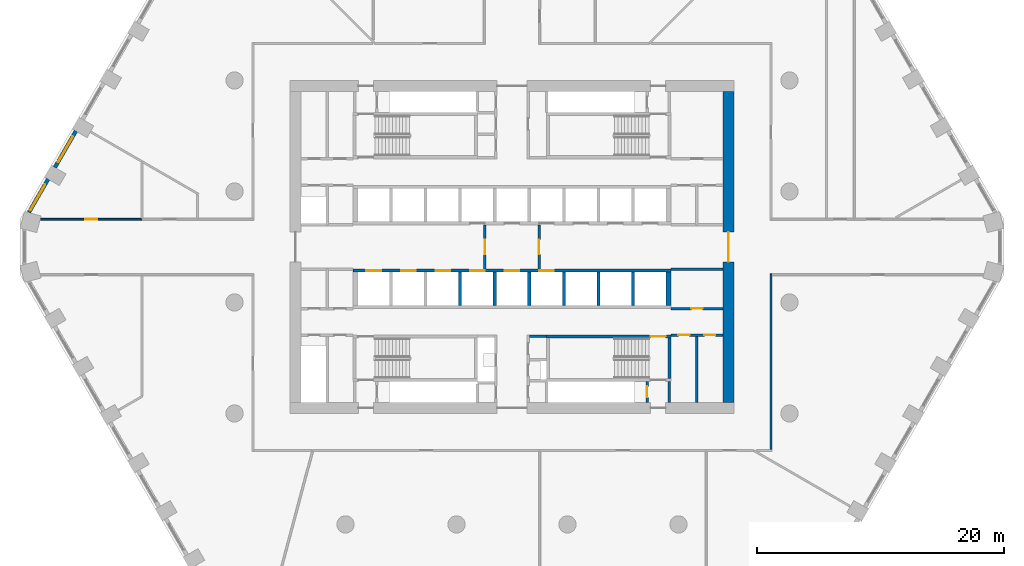
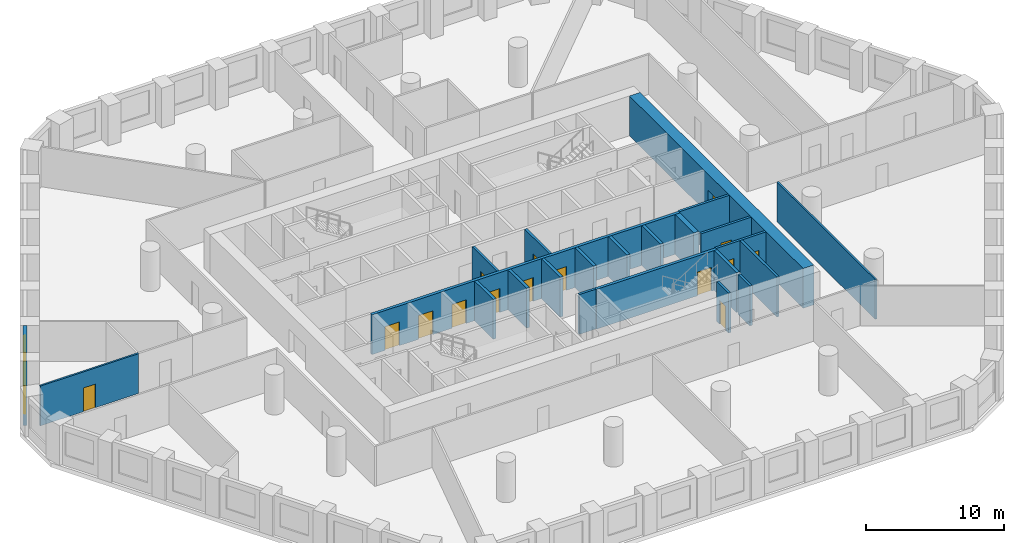
# One storey, part 4 of 10: 24 walls, 15 doors, 2 windows, 17 openings.
"""IFC4 building model written with IfcOpenShell, lengths in metres."""

from ifc_helpers import new_model, si_unit, direction, frame, frame_2d, origin, place, context, subcontext, project, spatial, polyline, rectangle, outline, extrude, material, layer, layer_set, type_object, element, fill, save


model = new_model("IFC4")

# Units and contexts
model_context = context("Model", 3, precision=1e-05, world=origin(), true_north=direction((0.0, 1.0)))
body_context = subcontext(model_context, "Body", "Model", "MODEL_VIEW")
ifc_project = project(units=[si_unit("LENGTHUNIT", "METRE"), si_unit("AREAUNIT", "SQUARE_METRE"), si_unit("VOLUMEUNIT", "CUBIC_METRE"), si_unit("PLANEANGLEUNIT", "RADIAN"), si_unit("MASSUNIT", "GRAM", prefix="KILO")], contexts=[model_context])

# Site, building, storey
site_placement = place(None, origin())
site = spatial("IfcSite", under=ifc_project, at=site_placement, CompositionType="ELEMENT")
building_placement = place(site_placement, origin())
building = spatial("IfcBuilding", under=site, at=building_placement, Name="Dhurran Vertical Campus", CompositionType="ELEMENT")
storey_placement = place(building_placement, frame((0.0, 0.0, 57.300048828125)))
storey = spatial("IfcBuildingStorey", under=building, at=storey_placement, Name="L13", CompositionType="ELEMENT", Elevation=57.300048828125)

# Wall, opening, window
ifc_material_1 = material(Name="Precast concrete C50/60", Category="concrete")
ifc_layer_1 = layer(ifc_material_1, 0.300048828125)
ifc_layer_set_1 = layer_set([ifc_layer_1], Name="Precast concrete C50/60")
wall_type_1 = type_object("IfcWallType", Name="Precast spandrel wall 300", PredefinedType="SOLIDWALL", material=ifc_layer_set_1)
wall_1_placement = place(storey_placement, frame((-35.369384765625, 9.392578125, 0.0), z_axis=(0.0, 0.0, 1.0), x_axis=(-0.499993955907, -0.866028893315, 0.0)))
wall_1 = element("IfcWall", 1, at=wall_1_placement, inside=storey, type_object=wall_type_1, Name="EW1 L13.41", PredefinedType="SOLIDWALL", context=body_context, shape_type="SweptSolid", body=[
    extrude(rectangle(XDim=3.39892578125, YDim=0.300048828125, at=frame_2d((1.699462890625, 0.0))), origin(), (0.0, 0.0, 1.0), 3.52490234375),
])
opening_1_placement = place(wall_1_placement, frame((0.49951171875, 0.0, 0.89990234375)))
opening_1 = element("IfcOpeningElement", 2, at=opening_1_placement, cuts=wall_1, Name="Opening WT1", PredefinedType="OPENING", context=body_context, shape_type="SweptSolid", body=[
    extrude(rectangle(XDim=2.39990234375, YDim=2.10009765625, at=frame_2d((1.199951171875, 1.050048828125))), frame((0.0, 0.159912109375, 0.0), z_axis=(0.0, -1.0, 0.0), x_axis=(1.0, 0.0, 0.0)), (0.0, 0.0, 1.0), 0.320068359375),
])
ifc_material_2 = material(Name="Aluminium frame with solar-control glass", Category="aluminium")
window_type = type_object("IfcWindowType", Name="Punched window 2400 x 2100", PartitioningType="SINGLE_PANEL", PredefinedType="WINDOW", material=ifc_material_2)
window_1_placement = place(opening_1_placement, origin())
window_1 = element("IfcWindow", 3, at=window_1_placement, inside=storey, type_object=window_type, Name="WT1 L13.41", OverallHeight=2.10009765625, OverallWidth=2.39990234375, PartitioningType="SINGLE_PANEL", PredefinedType="WINDOW", context=body_context, shape_type="SweptSolid", body=[
    extrude(rectangle(XDim=2.39990234375, YDim=2.10009765625, at=frame_2d((1.199951171875, 1.050048828125))), frame((0.0, 0.030029296875, 0.0), z_axis=(0.0, -1.0, 0.0), x_axis=(1.0, 0.0, 0.0)), (0.0, 0.0, 1.0), 0.06005859375),
])
fill(opening_1, window_1)

wall_2_placement = place(storey_placement, frame((-37.619384765625, 5.495361328125, 0.0), z_axis=(0.0, 0.0, 1.0), x_axis=(-0.49997090907, -0.866042198789, 0.0)))
wall_2 = element("IfcWall", 4, at=wall_2_placement, inside=storey, type_object=wall_type_1, Name="EW1 L13.42", PredefinedType="SOLIDWALL", context=body_context, shape_type="SweptSolid", body=[
    extrude(rectangle(XDim=3.090576171875, YDim=0.300048828125, at=frame_2d((1.54541015625, 0.0))), origin(), (0.0, 0.0, 1.0), 3.52490234375),
])
opening_2_placement = place(wall_2_placement, frame((0.49951171875, 0.0, 0.89990234375)))
opening_2 = element("IfcOpeningElement", 5, at=opening_2_placement, cuts=wall_2, Name="Opening WT1", PredefinedType="OPENING", context=body_context, shape_type="SweptSolid", body=[
    extrude(rectangle(XDim=2.39990234375, YDim=2.10009765625, at=frame_2d((1.199951171875, 1.050048828125))), frame((0.0, 0.159912109375, 0.0), z_axis=(0.0, -1.0, 0.0), x_axis=(1.0, 0.0, 0.0)), (0.0, 0.0, 1.0), 0.320068359375),
])
window_2_placement = place(opening_2_placement, origin())
window_2 = element("IfcWindow", 6, at=window_2_placement, inside=storey, type_object=window_type, Name="WT1 L13.42", OverallHeight=2.10009765625, OverallWidth=2.39990234375, PartitioningType="SINGLE_PANEL", PredefinedType="WINDOW", context=body_context, shape_type="SweptSolid", body=[
    extrude(rectangle(XDim=2.39990234375, YDim=2.10009765625, at=frame_2d((1.199951171875, 1.050048828125))), frame((0.0, 0.030029296875, 0.0), z_axis=(0.0, -1.0, 0.0), x_axis=(1.0, 0.0, 0.0)), (0.0, 0.0, 1.0), 0.06005859375),
])
fill(opening_2, window_2)

# Wall, opening, door
ifc_material_3 = material(Name="Concrete C60/75", Category="concrete")
ifc_layer_2 = layer(ifc_material_3, 0.89990234375)
ifc_layer_set_2 = layer_set([ifc_layer_2], Name="Concrete C60/75")
wall_type_2 = type_object("IfcWallType", Name="co-CORE-WALL-C0-900", PredefinedType="SHEAR", material=ifc_layer_set_2)
wall_3_placement = place(storey_placement, frame((17.550048828125, -12.60009765625, 0.0), z_axis=(0.0, 0.0, 1.0), x_axis=(0.0, 1.0, 0.0)))
wall_3 = element("IfcWall", 7, at=wall_3_placement, inside=storey, type_object=wall_type_2, Name="Core wall E L13", PredefinedType="SHEAR", context=body_context, shape_type="SweptSolid", body=[
    extrude(rectangle(XDim=25.2001953125, YDim=0.89990234375, at=frame_2d((12.60009765625, 0.0))), origin(), (0.0, 0.0, 1.0), 3.52490234375),
])
opening_3_placement = place(wall_3_placement, frame((11.39990234375, 0.0, 0.0)))
opening_3 = element("IfcOpeningElement", 8, at=opening_3_placement, cuts=wall_3, Name="Opening CL2", PredefinedType="OPENING", context=body_context, shape_type="SweptSolid", body=[
    extrude(rectangle(XDim=2.39990234375, YDim=2.10009765625, at=frame_2d((1.199951171875, 1.050048828125))), frame((0.0, 0.4599609375, 0.0), z_axis=(0.0, -1.0, 0.0), x_axis=(1.0, 0.0, 0.0)), (0.0, 0.0, 1.0), 0.919921875),
])
ifc_material_4 = material(Name="Fire-rated glazed door set")
door_type_1 = type_object("IfcDoorType", Name="co-D-LOBBY 2400x2100", OperationType="DOUBLE_DOOR_DOUBLE_SWING", PredefinedType="DOOR", material=ifc_material_4)
door_1_placement = place(opening_3_placement, origin())
door_1 = element("IfcDoor", 9, at=door_1_placement, inside=storey, type_object=door_type_1, Name="Lift lobby door E L13", OperationType="DOUBLE_DOOR_DOUBLE_SWING", OverallHeight=2.10009765625, OverallWidth=2.39990234375, PredefinedType="DOOR", context=body_context, shape_type="SweptSolid", body=[
    extrude(rectangle(XDim=2.39990234375, YDim=2.10009765625, at=frame_2d((1.199951171875, 1.050048828125))), frame((0.0, 0.02490234375, 0.0), z_axis=(0.0, -1.0, 0.0), x_axis=(1.0, 0.0, 0.0)), (0.0, 0.0, 1.0), 0.050048828125),
])
fill(opening_3, door_1)

ifc_material_5 = material(Name="Fire-rated masonry blockwork", Category="masonry")
ifc_layer_3 = layer(ifc_material_5, 0.199951171875)
ifc_layer_set_3 = layer_set([ifc_layer_3], Name="Fire-rated masonry blockwork")
wall_type_3 = type_object("IfcWallType", Name="co-FIRE-PARTITION-200", PredefinedType="PARTITIONING", material=ifc_layer_set_3)
wall_4_placement = place(storey_placement, frame((-2.199951171875, -1.800048828125, 0.0), z_axis=(0.0, 0.0, 1.0), x_axis=(0.0, 1.0, 0.0)))
wall_4 = element("IfcWall", 10, at=wall_4_placement, inside=storey, type_object=wall_type_3, Name="Firefighting lobby wall W L13", PredefinedType="PARTITIONING", context=body_context, shape_type="SweptSolid", body=[
    extrude(rectangle(XDim=3.60009765625, YDim=0.199951171875, at=frame_2d((1.800048828125, 0.0))), origin(), (0.0, 0.0, 1.0), 3.52490234375),
])
opening_4_placement = place(wall_4_placement, frame((1.199951171875, 0.0, 0.0)))
opening_4 = element("IfcOpeningElement", 11, at=opening_4_placement, cuts=wall_4, Name="Opening FL1", PredefinedType="OPENING", context=body_context, shape_type="SweptSolid", body=[
    extrude(rectangle(XDim=1.199951171875, YDim=2.10009765625, at=frame_2d((0.60009765625, 1.050048828125))), frame((0.0, 0.10986328125, 0.0), z_axis=(0.0, -1.0, 0.0), x_axis=(1.0, 0.0, 0.0)), (0.0, 0.0, 1.0), 0.219970703125),
])
ifc_material_6 = material(Name="Fire-rated steel door set", Category="steel")
door_type_2 = type_object("IfcDoorType", Name="co-D-FFLOBBY 1200x2100", OperationType="SINGLE_SWING_LEFT", PredefinedType="DOOR", material=ifc_material_6)
door_2_placement = place(opening_4_placement, origin())
door_2 = element("IfcDoor", 12, at=door_2_placement, inside=storey, type_object=door_type_2, Name="Firefighting lobby door W L13", OperationType="SINGLE_SWING_LEFT", OverallHeight=2.10009765625, OverallWidth=1.199951171875, PredefinedType="DOOR", context=body_context, shape_type="SweptSolid", body=[
    extrude(rectangle(XDim=1.199951171875, YDim=2.10009765625, at=frame_2d((0.60009765625, 1.050048828125))), frame((0.0, 0.02490234375, 0.0), z_axis=(0.0, -1.0, 0.0), x_axis=(1.0, 0.0, 0.0)), (0.0, 0.0, 1.0), 0.050048828125),
])
fill(opening_4, door_2)

wall_5_placement = place(storey_placement, frame((2.199951171875, -1.800048828125, 0.0), z_axis=(0.0, 0.0, 1.0), x_axis=(0.0, 1.0, 0.0)))
wall_5 = element("IfcWall", 13, at=wall_5_placement, inside=storey, type_object=wall_type_3, Name="Firefighting lobby wall E L13", PredefinedType="PARTITIONING", context=body_context, shape_type="SweptSolid", body=[
    extrude(rectangle(XDim=3.60009765625, YDim=0.199951171875, at=frame_2d((1.800048828125, 0.0))), origin(), (0.0, 0.0, 1.0), 3.52490234375),
])
opening_5_placement = place(wall_5_placement, frame((1.199951171875, 0.0, 0.0)))
opening_5 = element("IfcOpeningElement", 14, at=opening_5_placement, cuts=wall_5, Name="Opening FL2", PredefinedType="OPENING", context=body_context, shape_type="SweptSolid", body=[
    extrude(rectangle(XDim=1.199951171875, YDim=2.10009765625, at=frame_2d((0.60009765625, 1.050048828125))), frame((0.0, 0.10986328125, 0.0), z_axis=(0.0, -1.0, 0.0), x_axis=(1.0, 0.0, 0.0)), (0.0, 0.0, 1.0), 0.219970703125),
])
door_3_placement = place(opening_5_placement, origin())
door_3 = element("IfcDoor", 15, at=door_3_placement, inside=storey, type_object=door_type_2, Name="Firefighting lobby door E L13", OperationType="SINGLE_SWING_LEFT", OverallHeight=2.10009765625, OverallWidth=1.199951171875, PredefinedType="DOOR", context=body_context, shape_type="SweptSolid", body=[
    extrude(rectangle(XDim=1.199951171875, YDim=2.10009765625, at=frame_2d((0.60009765625, 1.050048828125))), frame((0.0, 0.02490234375, 0.0), z_axis=(0.0, -1.0, 0.0), x_axis=(1.0, 0.0, 0.0)), (0.0, 0.0, 1.0), 0.050048828125),
])
fill(opening_5, door_3)

# Walls
wall_6_placement = place(storey_placement, frame((1.39990234375, -7.25, 0.0), z_axis=(0.0, 0.0, 1.0), x_axis=(1.0, 0.0, 0.0)))
element("IfcWall", 16, at=wall_6_placement, inside=storey, type_object=wall_type_3, Name="Core partition sl-SE-S L13", PredefinedType="PARTITIONING", context=body_context, shape_type="SweptSolid", body=[
    extrude(rectangle(XDim=1.400146484375, YDim=0.199951171875, at=frame_2d((0.7001953125, 0.0))), origin(), (0.0, 0.0, 1.0), 3.52490234375),
])
wall_7_placement = place(storey_placement, frame((12.75, -12.60009765625, 0.0), z_axis=(0.0, 0.0, 1.0), x_axis=(0.0, 1.0, 0.0)))
element("IfcWall", 17, at=wall_7_placement, inside=storey, type_object=wall_type_3, Name="Core partition pass-ST4-o L13", PredefinedType="PARTITIONING", context=body_context, shape_type="SweptSolid", body=[
    extrude(rectangle(XDim=1.7001953125, YDim=0.199951171875, at=frame_2d((0.85009765625, 0.0))), origin(), (0.0, 0.0, 1.0), 3.52490234375),
])

# Wall, opening, door
wall_8_placement = place(storey_placement, frame((10.949951171875, -12.60009765625, 0.0), z_axis=(0.0, 0.0, 1.0), x_axis=(0.0, 1.0, 0.0)))
wall_8 = element("IfcWall", 18, at=wall_8_placement, inside=storey, type_object=wall_type_3, Name="Core partition pass-ST4-i L13", PredefinedType="PARTITIONING", context=body_context, shape_type="SweptSolid", body=[
    extrude(rectangle(XDim=1.7001953125, YDim=0.199951171875, at=frame_2d((0.85009765625, 0.0))), origin(), (0.0, 0.0, 1.0), 3.52490234375),
])
opening_6_placement = place(wall_8_placement, frame((0.39990234375, 0.0, 0.0)))
opening_6 = element("IfcOpeningElement", 19, at=opening_6_placement, cuts=wall_8, Name="Opening T03-C13", PredefinedType="OPENING", context=body_context, shape_type="SweptSolid", body=[
    extrude(rectangle(XDim=0.89990234375, YDim=2.10009765625, at=frame_2d((0.449951171875, 1.050048828125))), frame((0.0, 0.10986328125, 0.0), z_axis=(0.0, -1.0, 0.0), x_axis=(1.0, 0.0, 0.0)), (0.0, 0.0, 1.0), 0.219970703125),
])
ifc_material_7 = material(Name="Fire-rated timber door set", Category="wood")
door_type_3 = type_object("IfcDoorType", Name="co-D-ROOM 900x2100", OperationType="SINGLE_SWING_LEFT", PredefinedType="DOOR", material=ifc_material_7)
door_4_placement = place(opening_6_placement, origin())
door_4 = element("IfcDoor", 20, at=door_4_placement, inside=storey, type_object=door_type_3, Name="Riser room door L13", OperationType="SINGLE_SWING_LEFT", OverallHeight=2.10009765625, OverallWidth=0.89990234375, PredefinedType="DOOR", context=body_context, shape_type="SweptSolid", body=[
    extrude(rectangle(XDim=0.89990234375, YDim=2.10009765625, at=frame_2d((0.449951171875, 1.050048828125))), frame((0.0, 0.02490234375, 0.0), z_axis=(0.0, -1.0, 0.0), x_axis=(1.0, 0.0, 0.0)), (0.0, 0.0, 1.0), 0.050048828125),
])
fill(opening_6, door_4)

# Wall
wall_9_placement = place(storey_placement, frame((15.0, -12.60009765625, 0.0), z_axis=(0.0, 0.0, 1.0), x_axis=(0.0, 1.0, 0.0)))
element("IfcWall", 21, at=wall_9_placement, inside=storey, type_object=wall_type_3, Name="Core partition en-SE-cut0 L13", PredefinedType="PARTITIONING", context=body_context, shape_type="SweptSolid", body=[
    extrude(rectangle(XDim=5.4501953125, YDim=0.199951171875, at=frame_2d((2.72509765625, 0.0))), origin(), (0.0, 0.0, 1.0), 3.52490234375),
])

# Wall, openings, doors
wall_10_placement = place(storey_placement, frame((12.89990234375, -7.14990234375, 0.0), z_axis=(0.0, 0.0, 1.0), x_axis=(1.0, 0.0, 0.0)))
wall_10 = element("IfcWall", 22, at=wall_10_placement, inside=storey, type_object=wall_type_3, Name="Core partition en-SE-w L13", PredefinedType="PARTITIONING", context=body_context, shape_type="SweptSolid", body=[
    extrude(rectangle(XDim=4.2001953125, YDim=0.199951171875, at=frame_2d((2.10009765625, 0.0))), origin(), (0.0, 0.0, 1.0), 3.52490234375),
])
opening_7_placement = place(wall_10_placement, frame((0.60009765625, 0.0, 0.0)))
opening_7 = element("IfcOpeningElement", 23, at=opening_7_placement, cuts=wall_10, Name="Opening T03-C25", PredefinedType="OPENING", context=body_context, shape_type="SweptSolid", body=[
    extrude(rectangle(XDim=0.89990234375, YDim=2.10009765625, at=frame_2d((0.449951171875, 1.050048828125))), frame((0.0, 0.10986328125, 0.0), z_axis=(0.0, -1.0, 0.0), x_axis=(1.0, 0.0, 0.0)), (0.0, 0.0, 1.0), 0.219970703125),
])
opening_8_placement = place(wall_10_placement, frame((2.699951171875, 0.0, 0.0)))
opening_8 = element("IfcOpeningElement", 24, at=opening_8_placement, cuts=wall_10, Name="Opening T03-C26", PredefinedType="OPENING", context=body_context, shape_type="SweptSolid", body=[
    extrude(rectangle(XDim=0.89990234375, YDim=2.10009765625, at=frame_2d((0.449951171875, 1.050048828125))), frame((0.0, 0.10986328125, 0.0), z_axis=(0.0, -1.0, 0.0), x_axis=(1.0, 0.0, 0.0)), (0.0, 0.0, 1.0), 0.219970703125),
])
door_5_placement = place(opening_7_placement, origin())
door_5 = element("IfcDoor", 25, at=door_5_placement, inside=storey, type_object=door_type_3, Name="Server room door L13", OperationType="SINGLE_SWING_LEFT", OverallHeight=2.10009765625, OverallWidth=0.89990234375, PredefinedType="DOOR", context=body_context, shape_type="SweptSolid", body=[
    extrude(rectangle(XDim=0.89990234375, YDim=2.10009765625, at=frame_2d((0.449951171875, 1.050048828125))), frame((0.0, 0.02490234375, 0.0), z_axis=(0.0, -1.0, 0.0), x_axis=(1.0, 0.0, 0.0)), (0.0, 0.0, 1.0), 0.050048828125),
])
fill(opening_7, door_5)
door_6_placement = place(opening_8_placement, origin())
door_6 = element("IfcDoor", 26, at=door_6_placement, inside=storey, type_object=door_type_3, Name="Fire equipment store door L13", OperationType="SINGLE_SWING_LEFT", OverallHeight=2.10009765625, OverallWidth=0.89990234375, PredefinedType="DOOR", context=body_context, shape_type="SweptSolid", body=[
    extrude(rectangle(XDim=0.89990234375, YDim=2.10009765625, at=frame_2d((0.449951171875, 1.050048828125))), frame((0.0, 0.02490234375, 0.0), z_axis=(0.0, -1.0, 0.0), x_axis=(1.0, 0.0, 0.0)), (0.0, 0.0, 1.0), 0.050048828125),
])
fill(opening_8, door_6)

# Wall, opening, door
wall_11_placement = place(storey_placement, frame((12.89990234375, -5.0, 0.0), z_axis=(0.0, 0.0, 1.0), x_axis=(1.0, 0.0, 0.0)))
wall_11 = element("IfcWall", 27, at=wall_11_placement, inside=storey, type_object=wall_type_3, Name="Core partition es-SE-w L13", PredefinedType="PARTITIONING", context=body_context, shape_type="SweptSolid", body=[
    extrude(rectangle(XDim=4.2001953125, YDim=0.199951171875, at=frame_2d((2.10009765625, 0.0))), origin(), (0.0, 0.0, 1.0), 3.52490234375),
])
opening_9_placement = place(wall_11_placement, frame((1.64990234375, 0.0, 0.0)))
opening_9 = element("IfcOpeningElement", 28, at=opening_9_placement, cuts=wall_11, Name="Opening T03-C27", PredefinedType="OPENING", context=body_context, shape_type="SweptSolid", body=[
    extrude(rectangle(XDim=0.89990234375, YDim=2.10009765625, at=frame_2d((0.449951171875, 1.050048828125))), frame((0.0, 0.10986328125, 0.0), z_axis=(0.0, -1.0, 0.0), x_axis=(1.0, 0.0, 0.0)), (0.0, 0.0, 1.0), 0.219970703125),
])
door_7_placement = place(opening_9_placement, origin())
door_7 = element("IfcDoor", 29, at=door_7_placement, inside=storey, type_object=door_type_3, Name="Server room door L13", OperationType="SINGLE_SWING_LEFT", OverallHeight=2.10009765625, OverallWidth=0.89990234375, PredefinedType="DOOR", context=body_context, shape_type="SweptSolid", body=[
    extrude(rectangle(XDim=0.89990234375, YDim=2.10009765625, at=frame_2d((0.449951171875, 1.050048828125))), frame((0.0, 0.02490234375, 0.0), z_axis=(0.0, -1.0, 0.0), x_axis=(1.0, 0.0, 0.0)), (0.0, 0.0, 1.0), 0.050048828125),
])
fill(opening_9, door_7)

# Wall
wall_12_placement = place(storey_placement, frame((12.89990234375, -1.800048828125, 0.0), z_axis=(0.0, 0.0, 1.0), x_axis=(1.0, 0.0, 0.0)))
element("IfcWall", 30, at=wall_12_placement, inside=storey, type_object=wall_type_3, Name="Core partition es-SE-l L13", PredefinedType="PARTITIONING", context=body_context, shape_type="SweptSolid", body=[
    extrude(rectangle(XDim=4.2001953125, YDim=0.199951171875, at=frame_2d((2.10009765625, 0.0))), origin(), (0.0, 0.0, 1.0), 3.52490234375),
])

# Wall, openings, doors
ifc_material_8 = material(Name="Concrete C50/60", Category="concrete")
ifc_layer_4 = layer(ifc_material_8, 0.25)
ifc_layer_set_4 = layer_set([ifc_layer_4], Name="Concrete C50/60")
wall_type_4 = type_object("IfcWallType", Name="co-SHAFT-FRONT-250", PredefinedType="SHEAR", material=ifc_layer_set_4)
wall_13_placement = place(storey_placement, frame((-12.89990234375, -1.925048828125, 0.0), z_axis=(0.0, 0.0, 1.0), x_axis=(1.0, 0.0, 0.0)))
wall_13 = element("IfcWall", 31, at=wall_13_placement, inside=storey, type_object=wall_type_4, Name="Lift landing wall S L13", PredefinedType="SHEAR", context=body_context, shape_type="SweptSolid", body=[
    extrude(rectangle(XDim=25.7998046875, YDim=0.25, at=frame_2d((12.89990234375, 0.0))), origin(), (0.0, 0.0, 1.0), 3.52490234375),
])
opening_10_placement = place(wall_13_placement, frame((1.10009765625, 0.0, 0.0)))
opening_10 = element("IfcOpeningElement", 32, at=opening_10_placement, cuts=wall_13, Name="Opening LD", PredefinedType="OPENING", context=body_context, shape_type="SweptSolid", body=[
    extrude(rectangle(XDim=1.199951171875, YDim=2.10009765625, at=frame_2d((0.60009765625, 1.050048828125))), frame((0.0, 0.135009765625, 0.0), z_axis=(0.0, -1.0, 0.0), x_axis=(1.0, 0.0, 0.0)), (0.0, 0.0, 1.0), 0.27001953125),
])
opening_11_placement = place(wall_13_placement, frame((3.89990234375, 0.0, 0.0)))
opening_11 = element("IfcOpeningElement", 33, at=opening_11_placement, cuts=wall_13, Name="Opening LD", PredefinedType="OPENING", context=body_context, shape_type="SweptSolid", body=[
    extrude(rectangle(XDim=1.199951171875, YDim=2.10009765625, at=frame_2d((0.60009765625, 1.050048828125))), frame((0.0, 0.135009765625, 0.0), z_axis=(0.0, -1.0, 0.0), x_axis=(1.0, 0.0, 0.0)), (0.0, 0.0, 1.0), 0.27001953125),
])
opening_12_placement = place(wall_13_placement, frame((6.699951171875, 0.0, 0.0)))
opening_12 = element("IfcOpeningElement", 34, at=opening_12_placement, cuts=wall_13, Name="Opening LD", PredefinedType="OPENING", context=body_context, shape_type="SweptSolid", body=[
    extrude(rectangle(XDim=1.199951171875, YDim=2.10009765625, at=frame_2d((0.60009765625, 1.050048828125))), frame((0.0, 0.135009765625, 0.0), z_axis=(0.0, -1.0, 0.0), x_axis=(1.0, 0.0, 0.0)), (0.0, 0.0, 1.0), 0.27001953125),
])
opening_13_placement = place(wall_13_placement, frame((9.5, 0.0, 0.0)))
opening_13 = element("IfcOpeningElement", 35, at=opening_13_placement, cuts=wall_13, Name="Opening LD", PredefinedType="OPENING", context=body_context, shape_type="SweptSolid", body=[
    extrude(rectangle(XDim=1.199951171875, YDim=2.10009765625, at=frame_2d((0.60009765625, 1.050048828125))), frame((0.0, 0.135009765625, 0.0), z_axis=(0.0, -1.0, 0.0), x_axis=(1.0, 0.0, 0.0)), (0.0, 0.0, 1.0), 0.27001953125),
])
opening_14_placement = place(wall_13_placement, frame((12.300048828125, 0.0, 0.0)))
opening_14 = element("IfcOpeningElement", 36, at=opening_14_placement, cuts=wall_13, Name="Opening LD", PredefinedType="OPENING", context=body_context, shape_type="SweptSolid", body=[
    extrude(rectangle(XDim=1.199951171875, YDim=2.10009765625, at=frame_2d((0.60009765625, 1.050048828125))), frame((0.0, 0.135009765625, 0.0), z_axis=(0.0, -1.0, 0.0), x_axis=(1.0, 0.0, 0.0)), (0.0, 0.0, 1.0), 0.27001953125),
])
opening_15_placement = place(wall_13_placement, frame((15.10009765625, 0.0, 0.0)))
opening_15 = element("IfcOpeningElement", 37, at=opening_15_placement, cuts=wall_13, Name="Opening LD", PredefinedType="OPENING", context=body_context, shape_type="SweptSolid", body=[
    extrude(rectangle(XDim=1.199951171875, YDim=2.10009765625, at=frame_2d((0.60009765625, 1.050048828125))), frame((0.0, 0.135009765625, 0.0), z_axis=(0.0, -1.0, 0.0), x_axis=(1.0, 0.0, 0.0)), (0.0, 0.0, 1.0), 0.27001953125),
])
ifc_material_9 = material(Name="Stainless steel landing door", Category="steel")
door_type_4 = type_object("IfcDoorType", Name="co-D-LANDING 1200x2100", OperationType="DOUBLE_DOOR_SLIDING", PredefinedType="DOOR", material=ifc_material_9)
door_8_placement = place(opening_10_placement, origin())
door_8 = element("IfcDoor", 38, at=door_8_placement, inside=storey, type_object=door_type_4, Name="Landing door LR5 L13", OperationType="DOUBLE_DOOR_SLIDING", OverallHeight=2.10009765625, OverallWidth=1.199951171875, PredefinedType="DOOR", context=body_context, shape_type="SweptSolid", body=[
    extrude(rectangle(XDim=1.199951171875, YDim=2.10009765625, at=frame_2d((0.60009765625, 1.050048828125))), frame((0.0, 0.02490234375, 0.0), z_axis=(0.0, -1.0, 0.0), x_axis=(1.0, 0.0, 0.0)), (0.0, 0.0, 1.0), 0.050048828125),
])
fill(opening_10, door_8)
door_9_placement = place(opening_11_placement, origin())
door_9 = element("IfcDoor", 39, at=door_9_placement, inside=storey, type_object=door_type_4, Name="Landing door LR6 L13", OperationType="DOUBLE_DOOR_SLIDING", OverallHeight=2.10009765625, OverallWidth=1.199951171875, PredefinedType="DOOR", context=body_context, shape_type="SweptSolid", body=[
    extrude(rectangle(XDim=1.199951171875, YDim=2.10009765625, at=frame_2d((0.60009765625, 1.050048828125))), frame((0.0, 0.02490234375, 0.0), z_axis=(0.0, -1.0, 0.0), x_axis=(1.0, 0.0, 0.0)), (0.0, 0.0, 1.0), 0.050048828125),
])
fill(opening_11, door_9)
door_10_placement = place(opening_12_placement, origin())
door_10 = element("IfcDoor", 40, at=door_10_placement, inside=storey, type_object=door_type_4, Name="Landing door LR7 L13", OperationType="DOUBLE_DOOR_SLIDING", OverallHeight=2.10009765625, OverallWidth=1.199951171875, PredefinedType="DOOR", context=body_context, shape_type="SweptSolid", body=[
    extrude(rectangle(XDim=1.199951171875, YDim=2.10009765625, at=frame_2d((0.60009765625, 1.050048828125))), frame((0.0, 0.02490234375, 0.0), z_axis=(0.0, -1.0, 0.0), x_axis=(1.0, 0.0, 0.0)), (0.0, 0.0, 1.0), 0.050048828125),
])
fill(opening_12, door_10)
door_11_placement = place(opening_13_placement, origin())
door_11 = element("IfcDoor", 41, at=door_11_placement, inside=storey, type_object=door_type_4, Name="Landing door LR8 L13", OperationType="DOUBLE_DOOR_SLIDING", OverallHeight=2.10009765625, OverallWidth=1.199951171875, PredefinedType="DOOR", context=body_context, shape_type="SweptSolid", body=[
    extrude(rectangle(XDim=1.199951171875, YDim=2.10009765625, at=frame_2d((0.60009765625, 1.050048828125))), frame((0.0, 0.02490234375, 0.0), z_axis=(0.0, -1.0, 0.0), x_axis=(1.0, 0.0, 0.0)), (0.0, 0.0, 1.0), 0.050048828125),
])
fill(opening_13, door_11)
door_12_placement = place(opening_14_placement, origin())
door_12 = element("IfcDoor", 42, at=door_12_placement, inside=storey, type_object=door_type_4, Name="Landing door FF2 L13", OperationType="DOUBLE_DOOR_SLIDING", OverallHeight=2.10009765625, OverallWidth=1.199951171875, PredefinedType="DOOR", context=body_context, shape_type="SweptSolid", body=[
    extrude(rectangle(XDim=1.199951171875, YDim=2.10009765625, at=frame_2d((0.60009765625, 1.050048828125))), frame((0.0, 0.02490234375, 0.0), z_axis=(0.0, -1.0, 0.0), x_axis=(1.0, 0.0, 0.0)), (0.0, 0.0, 1.0), 0.050048828125),
])
fill(opening_14, door_12)
door_13_placement = place(opening_15_placement, origin())
door_13 = element("IfcDoor", 43, at=door_13_placement, inside=storey, type_object=door_type_4, Name="Landing door SV1 L13", OperationType="DOUBLE_DOOR_SLIDING", OverallHeight=2.10009765625, OverallWidth=1.199951171875, PredefinedType="DOOR", context=body_context, shape_type="SweptSolid", body=[
    extrude(rectangle(XDim=1.199951171875, YDim=2.10009765625, at=frame_2d((0.60009765625, 1.050048828125))), frame((0.0, 0.02490234375, 0.0), z_axis=(0.0, -1.0, 0.0), x_axis=(1.0, 0.0, 0.0)), (0.0, 0.0, 1.0), 0.050048828125),
])
fill(opening_15, door_13)

# Walls
ifc_material_10 = material(Name="Concrete C50/60", Category="concrete")
ifc_layer_5 = layer(ifc_material_10, 0.25)
ifc_layer_set_5 = layer_set([ifc_layer_5], Name="Concrete C50/60")
wall_type_5 = type_object("IfcWallType", Name="co-SHAFT-MASS-250", PredefinedType="SHEAR", material=ifc_layer_set_5)
wall_14_placement = place(storey_placement, origin())
element("IfcWall", 44, at=wall_14_placement, inside=storey, type_object=wall_type_5, Name="Lift shaft wall S L13 5", PredefinedType="SHEAR", context=body_context, shape_type="SweptSolid", body=[
    extrude(outline(polyline([(-4.324951171875, -4.75), (-4.074951171875, -4.75), (-4.074951171875, -2.050048828125), (-4.324951171875, -2.050048828125), (-4.324951171875, -4.75)])), origin(), (0.0, 0.0, 1.0), 3.52490234375),
])
wall_15_placement = place(storey_placement, origin())
element("IfcWall", 45, at=wall_15_placement, inside=storey, type_object=wall_type_5, Name="Lift shaft wall S L13 6", PredefinedType="SHEAR", context=body_context, shape_type="SweptSolid", body=[
    extrude(outline(polyline([(-1.52490234375, -4.75), (-1.27490234375, -4.75), (-1.27490234375, -2.050048828125), (-1.52490234375, -2.050048828125), (-1.52490234375, -4.75)])), origin(), (0.0, 0.0, 1.0), 3.52490234375),
])
wall_16_placement = place(storey_placement, origin())
element("IfcWall", 46, at=wall_16_placement, inside=storey, type_object=wall_type_5, Name="Lift shaft wall S L13 7", PredefinedType="SHEAR", context=body_context, shape_type="SweptSolid", body=[
    extrude(outline(polyline([(1.27490234375, -4.75), (1.52490234375, -4.75), (1.52490234375, -2.050048828125), (1.27490234375, -2.050048828125), (1.27490234375, -4.75)])), origin(), (0.0, 0.0, 1.0), 3.52490234375),
])
wall_17_placement = place(storey_placement, origin())
element("IfcWall", 47, at=wall_17_placement, inside=storey, type_object=wall_type_5, Name="Lift shaft wall S L13 8", PredefinedType="SHEAR", context=body_context, shape_type="SweptSolid", body=[
    extrude(outline(polyline([(4.074951171875, -4.75), (4.324951171875, -4.75), (4.324951171875, -2.050048828125), (4.074951171875, -2.050048828125), (4.074951171875, -4.75)])), origin(), (0.0, 0.0, 1.0), 3.52490234375),
])
wall_18_placement = place(storey_placement, origin())
element("IfcWall", 48, at=wall_18_placement, inside=storey, type_object=wall_type_5, Name="Lift shaft wall S L13 9", PredefinedType="SHEAR", context=body_context, shape_type="SweptSolid", body=[
    extrude(outline(polyline([(6.875, -4.75), (7.125, -4.75), (7.125, -2.050048828125), (6.875, -2.050048828125), (6.875, -4.75)])), origin(), (0.0, 0.0, 1.0), 3.52490234375),
])
wall_19_placement = place(storey_placement, origin())
element("IfcWall", 49, at=wall_19_placement, inside=storey, type_object=wall_type_5, Name="Lift shaft wall S L13 10", PredefinedType="SHEAR", context=body_context, shape_type="SweptSolid", body=[
    extrude(outline(polyline([(9.675048828125, -4.75), (9.925048828125, -4.75), (9.925048828125, -2.050048828125), (9.675048828125, -2.050048828125), (9.675048828125, -4.75)])), origin(), (0.0, 0.0, 1.0), 3.52490234375),
])
wall_20_placement = place(storey_placement, origin())
element("IfcWall", 50, at=wall_20_placement, inside=storey, type_object=wall_type_5, Name="Lift shaft wall S L13 11", PredefinedType="SHEAR", context=body_context, shape_type="SweptSolid", body=[
    extrude(outline(polyline([(12.47509765625, -4.75), (12.89990234375, -4.75), (12.89990234375, -2.050048828125), (12.47509765625, -2.050048828125), (12.47509765625, -4.75)])), origin(), (0.0, 0.0, 1.0), 3.52490234375),
])

# Wall, opening, door
ifc_material_11 = material(Name="Concrete C40/50", Category="concrete")
ifc_layer_6 = layer(ifc_material_11, 0.25)
ifc_layer_set_6 = layer_set([ifc_layer_6], Name="Concrete C40/50")
wall_type_6 = type_object("IfcWallType", Name="co-STAIR-WALL-250", PredefinedType="SHEAR", material=ifc_layer_set_6)
wall_21_placement = place(storey_placement, frame((2.800048828125, -7.27490234375, 0.0), z_axis=(0.0, 0.0, 1.0), x_axis=(1.0, 0.0, 0.0)))
wall_21 = element("IfcWall", 51, at=wall_21_placement, inside=storey, type_object=wall_type_6, Name="Stair ST4 enclosure wall L13", PredefinedType="SHEAR", context=body_context, shape_type="SweptSolid", body=[
    extrude(rectangle(XDim=10.099853515625, YDim=0.25, at=frame_2d((5.0498046875, 0.0))), origin(), (0.0, 0.0, 1.0), 3.52490234375),
])
opening_16_placement = place(wall_21_placement, frame((8.449951171875, 0.0, 0.0)))
opening_16 = element("IfcOpeningElement", 52, at=opening_16_placement, cuts=wall_21, Name="Opening SD4", PredefinedType="OPENING", context=body_context, shape_type="SweptSolid", body=[
    extrude(rectangle(XDim=1.199951171875, YDim=2.10009765625, at=frame_2d((0.60009765625, 1.050048828125))), frame((0.0, 0.135009765625, 0.0), z_axis=(0.0, -1.0, 0.0), x_axis=(1.0, 0.0, 0.0)), (0.0, 0.0, 1.0), 0.27001953125),
])
ifc_material_12 = material(Name="Fire-rated steel door set", Category="steel")
door_type_5 = type_object("IfcDoorType", Name="co-D-STAIR 1200x2100", OperationType="SINGLE_SWING_LEFT", PredefinedType="DOOR", material=ifc_material_12)
door_14_placement = place(opening_16_placement, origin())
door_14 = element("IfcDoor", 53, at=door_14_placement, inside=storey, type_object=door_type_5, Name="Stair ST4 door L13", OperationType="SINGLE_SWING_LEFT", OverallHeight=2.10009765625, OverallWidth=1.199951171875, PredefinedType="DOOR", context=body_context, shape_type="SweptSolid", body=[
    extrude(rectangle(XDim=1.199951171875, YDim=2.10009765625, at=frame_2d((0.60009765625, 1.050048828125))), frame((0.0, 0.02490234375, 0.0), z_axis=(0.0, -1.0, 0.0), x_axis=(1.0, 0.0, 0.0)), (0.0, 0.0, 1.0), 0.050048828125),
])
fill(opening_16, door_14)

# Wall
wall_22_placement = place(storey_placement, frame((12.77490234375, -10.64990234375, 0.0), z_axis=(0.0, 0.0, 1.0), x_axis=(0.0, 1.0, 0.0)))
element("IfcWall", 54, at=wall_22_placement, inside=storey, type_object=wall_type_6, Name="Stair ST4 enclosure wall L13", PredefinedType="SHEAR", context=body_context, shape_type="SweptSolid", body=[
    extrude(rectangle(XDim=3.25, YDim=0.25, at=frame_2d((1.625, 0.0))), origin(), (0.0, 0.0, 1.0), 3.52490234375),
])

# Wall, opening, door
ifc_material_13 = material(Name="Gypsum board corridor wall on steel studs", Category="steel")
ifc_layer_7 = layer(ifc_material_13, 0.14990234375)
ifc_layer_set_7 = layer_set([ifc_layer_7], Name="Gypsum board corridor wall on steel studs")
wall_type_7 = type_object("IfcWallType", Name="fl-CW-150 corridor wall", PredefinedType="PARTITIONING", material=ifc_layer_set_7)
wall_23_placement = place(storey_placement, frame((-38.23291015625, 2.25, 0.0), z_axis=(0.0, 0.0, 1.0), x_axis=(1.0, 0.0, 0.0)))
wall_23 = element("IfcWall", 55, at=wall_23_placement, inside=storey, type_object=wall_type_7, Name="Partition 13-02", PredefinedType="PARTITIONING", context=body_context, shape_type="SweptSolid", body=[
    extrude(rectangle(XDim=8.23291015625, YDim=0.14990234375, at=frame_2d((4.116455078125, 0.0))), origin(), (0.0, 0.0, 1.0), 3.52490234375),
])
opening_17_placement = place(wall_23_placement, frame((3.616455078125, 0.0, 0.0)))
opening_17 = element("IfcOpeningElement", 56, at=opening_17_placement, cuts=wall_23, Name="Opening T03.01", PredefinedType="OPENING", context=body_context, shape_type="SweptSolid", body=[
    extrude(rectangle(XDim=1.0, YDim=2.10009765625, at=frame_2d((0.5, 1.050048828125))), frame((0.0, 0.0849609375, 0.0), z_axis=(0.0, -1.0, 0.0), x_axis=(1.0, 0.0, 0.0)), (0.0, 0.0, 1.0), 0.169921875),
])
ifc_material_14 = material(Name="Solid-core timber door set, fire-rated", Category="wood")
door_type_6 = type_object("IfcDoorType", Name="fl-D-1000x2100", OperationType="SINGLE_SWING_LEFT", PredefinedType="DOOR", material=ifc_material_14)
door_15_placement = place(opening_17_placement, origin())
door_15 = element("IfcDoor", 57, at=door_15_placement, inside=storey, type_object=door_type_6, Name="Door 13.01", OperationType="SINGLE_SWING_LEFT", OverallHeight=2.10009765625, OverallWidth=1.0, PredefinedType="DOOR", context=body_context, shape_type="SweptSolid", body=[
    extrude(rectangle(XDim=1.0, YDim=2.10009765625, at=frame_2d((0.5, 1.050048828125))), frame((0.0, 0.02490234375, 0.0), z_axis=(0.0, -1.0, 0.0), x_axis=(1.0, 0.0, 0.0)), (0.0, 0.0, 1.0), 0.050048828125),
])
fill(opening_17, door_15)

# Wall
wall_24_placement = place(storey_placement, frame((21.0, -16.425048828125, 0.0), z_axis=(0.0, 0.0, 1.0), x_axis=(0.0, 1.0, 0.0)))
element("IfcWall", 58, at=wall_24_placement, inside=storey, type_object=wall_type_7, Name="Partition 13-41", PredefinedType="PARTITIONING", context=body_context, shape_type="SweptSolid", body=[
    extrude(rectangle(XDim=14.25, YDim=0.14990234375, at=frame_2d((7.125, 0.0))), origin(), (0.0, 0.0, 1.0), 3.52490234375),
])

save(model, "model.ifc")
